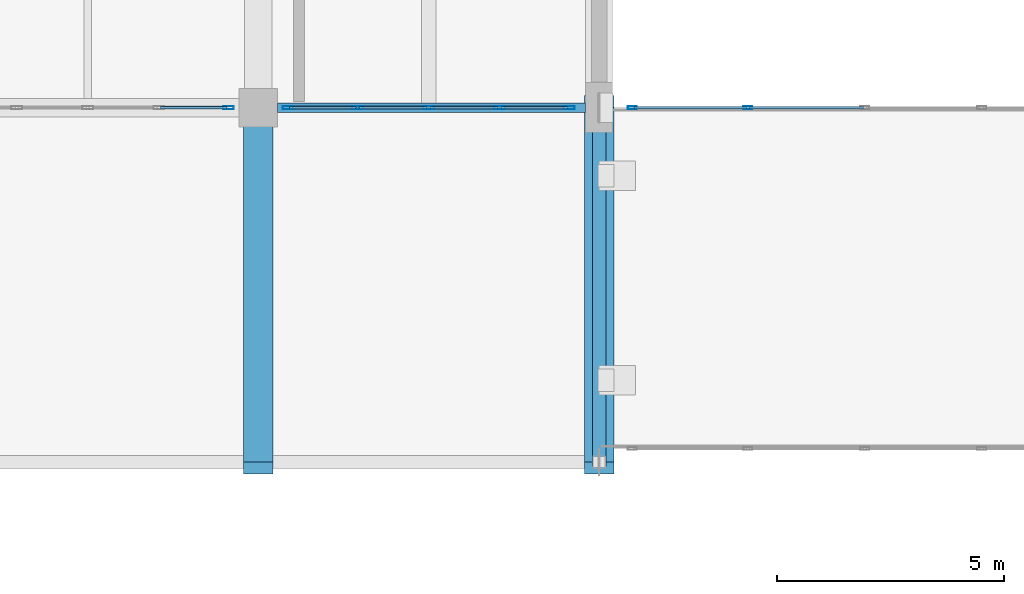
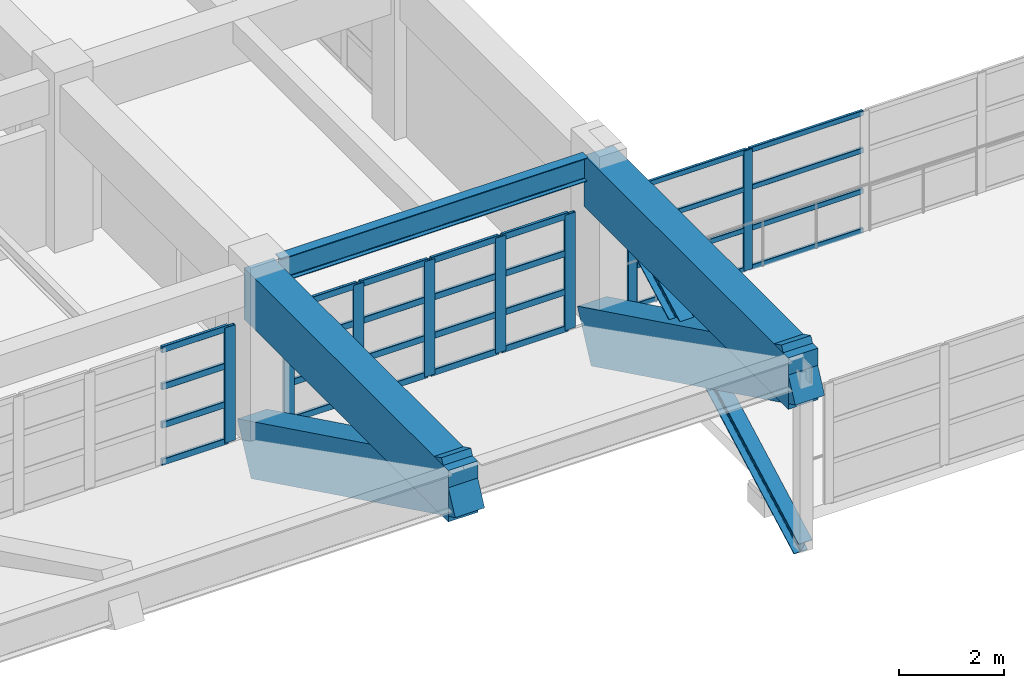
# One storey, part 36 of 132: 37 members, 5 beams, 3 elements without a shape of their own.
"""IFC4 building model written with IfcOpenShell, lengths in metres."""

from ifc_helpers import new_model, si_unit, direction, frame, origin, origin_2d, place, context, subcontext, project, spatial, rectangle, hollow_rectangle, i_section, extrude, material, material_profile, profile_set, type_object, element, aggregate, save


model = new_model("IFC4")

# Units and contexts
model_context = context("Model", 3, precision=1e-05, world=origin(), true_north=direction((0.0, 1.0)))
body_context = subcontext(model_context, "Body", "Model", "MODEL_VIEW")
ifc_project = project(units=[si_unit("LENGTHUNIT", "METRE"), si_unit("AREAUNIT", "SQUARE_METRE"), si_unit("VOLUMEUNIT", "CUBIC_METRE"), si_unit("PLANEANGLEUNIT", "RADIAN"), si_unit("MASSUNIT", "GRAM", prefix="KILO")], contexts=[model_context])

# Site, building, storey
site_placement = place(None, origin())
site = spatial("IfcSite", under=ifc_project, at=site_placement, CompositionType="ELEMENT")
building_placement = place(site_placement, origin())
building = spatial("IfcBuilding", under=site, at=building_placement, Name="Qasida Concert Hall", CompositionType="ELEMENT")
storey_placement = place(building_placement, frame((0.0, 0.0, 4.800048828125)))
storey = spatial("IfcBuildingStorey", under=building, at=storey_placement, Name="L01", CompositionType="ELEMENT", Elevation=4.800048828125)

# Beams
ifc_material_1 = material(Name="Concrete C50/60", Category="concrete")
ifc_material_profile_1 = material_profile(ifc_material_1, rectangle(XDim=0.64990234375, YDim=1.199951171875, at=origin_2d()), Name="RC 650x1200")
ifc_profile_set_1 = profile_set([ifc_material_profile_1], Name="Concrete C50/60")
beam_type_1 = type_object("IfcBeamType", Name="BM-CG-1200", PredefinedType="USERDEFINED", material=ifc_profile_set_1)
for number, where, z_axis, x_axis, name in (
    (1, (97.5, 22.5, -0.300048828125), (0.0, -0.898079250291, 0.439833673332), (1.0, 0.0, 0.0), "Upward-raked entrance soffit girder CGRK-975"),
    (2, (105.0, 22.5, -0.300048828125), (0.0, -0.898079250291, 0.439833673332), (1.0, 0.0, 0.0), "Upward-raked entrance soffit girder CGRK-1050"),
):
    element("IfcBeam", number, at=place(storey_placement, frame(where, z_axis=z_axis, x_axis=x_axis)), inside=storey, type_object=beam_type_1, Name=name, ObjectType="GIRDER", PredefinedType="USERDEFINED", context=body_context, shape_type="SweptSolid", body=[
        extrude(rectangle(XDim=0.64990234375, YDim=1.199951171875, at=origin_2d()), origin(), (0.0, 0.0, 1.0), 8.685302734375),
    ])
for number, where, z_axis, x_axis, name in (
    (3, (97.5, 22.5, 3.320068359375), (0.0, -1.0, 0.0), (1.0, 0.0, 0.0), "Cantilever girder CG-003"),
    (4, (105.0, 22.5, 3.320068359375), (0.0, -1.0, 0.0), (1.0, 0.0, 0.0), "Cantilever girder CG-004"),
):
    element("IfcBeam", number, at=place(storey_placement, frame(where, z_axis=z_axis, x_axis=x_axis)), inside=storey, type_object=beam_type_1, Name=name, ObjectType="GIRDER", PredefinedType="USERDEFINED", context=body_context, shape_type="SweptSolid", body=[
        extrude(rectangle(XDim=0.64990234375, YDim=1.199951171875, at=origin_2d()), origin(), (0.0, 0.0, 1.0), 7.800048828125),
    ])
ifc_material_2 = material(Name="Steel S355J2", Category="steel")
ifc_material_profile_2 = material_profile(ifc_material_2, i_section(OverallWidth=0.2099609375, OverallDepth=0.550048828125, WebThickness=0.010986328125, FlangeThickness=0.01708984375, FilletRadius=0.02392578125, at=origin_2d()), Name="IPE 550")
ifc_profile_set_2 = profile_set([ifc_material_profile_2], Name="Steel S355J2")
beam_type_2 = type_object("IfcBeamType", Name="BM-SP2", PredefinedType="SPANDREL", material=ifc_profile_set_2)
beam_placement = place(storey_placement, frame((97.925048828125, 22.5, 3.64501953125), z_axis=(1.0, 0.0, 0.0), x_axis=(0.0, 1.0, 0.0)))
element("IfcBeam", 5, at=beam_placement, inside=storey, type_object=beam_type_2, Name="Primary girder 0766", PredefinedType="SPANDREL", context=body_context, shape_type="SweptSolid", body=[
    extrude(i_section(OverallWidth=0.2099609375, OverallDepth=0.550048828125, WebThickness=0.010986328125, FlangeThickness=0.01708984375, FilletRadius=0.02392578125, at=origin_2d()), origin(), (0.0, 0.0, 1.0), 6.77490234375),
])

# Member
ifc_material_profile_3 = material_profile(ifc_material_2, i_section(OverallWidth=0.300048828125, OverallDepth=0.39990234375, WebThickness=0.013427734375, FlangeThickness=0.02392578125, FilletRadius=0.027099609375, at=origin_2d()), Name="HEB 400")
ifc_profile_set_3 = profile_set([ifc_material_profile_3], Name="Steel S355J2")
member_type_1 = type_object("IfcMemberType", Name="MB-CH1", PredefinedType="CHORD", material=ifc_profile_set_3)
member_1_placement = place(storey_placement, frame((105.0, 22.5, 3.599853515625), z_axis=(0.0, -0.880474639554, -0.474093249374), x_axis=(1.0, 0.0, 0.0)))
element("IfcMember", 6, at=member_1_placement, inside=storey, type_object=member_type_1, Name="Wall truss diagonal WT-E-018", PredefinedType="CHORD", context=body_context, shape_type="SweptSolid", body=[
    extrude(i_section(OverallWidth=0.300048828125, OverallDepth=0.39990234375, WebThickness=0.013427734375, FlangeThickness=0.02392578125, FilletRadius=0.027099609375, at=origin_2d()), origin(), (0.0, 0.0, 1.0), 8.85888671875),
])

# Curtain wall, member
ifc_material_3 = material(Name="Architectural bronze-anodized aluminium and low-E glass", Category="aluminium")
curtain_wall_type_1 = type_object("IfcCurtainWallType", Name="CW-02", PredefinedType="NOTDEFINED", material=ifc_material_3)
curtain_wall_1_placement = place(storey_placement, origin())
curtain_wall_1 = element("IfcCurtainWall", 7, at=curtain_wall_1_placement, inside=storey, type_object=curtain_wall_type_1, Name="L01 curtain wall CW-02 0006", PredefinedType="NOTDEFINED")
ifc_material_4 = material(Name="Architectural bronze-anodized aluminium EN AW-6063", Category="aluminium")
ifc_material_profile_4 = material_profile(ifc_material_4, hollow_rectangle(XDim=0.070068359375, YDim=0.239990234375, WallThickness=0.0048828125, InnerFilletRadius=0.0048828125, OuterFilletRadius=0.010009765625, at=origin_2d()), Name="CWM 240x70x5")
ifc_profile_set_4 = profile_set([ifc_material_profile_4], Name="Architectural bronze-anodized aluminium EN AW-6063")
member_type_2 = type_object("IfcMemberType", Name="MB-CWM-1", PredefinedType="MULLION", material=ifc_profile_set_4)
member_2_placement = place(storey_placement, frame((96.844970703125, 22.5, 0.0), z_axis=(0.0, 0.0, 1.0), x_axis=(0.0, 1.0, 0.0)))
member_2 = element("IfcMember", 8, at=member_2_placement, type_object=member_type_2, Name="CW-02 mullion 5", PredefinedType="MULLION", context=body_context, shape_type="SweptSolid", body=[
    extrude(hollow_rectangle(XDim=0.070068359375, YDim=0.239990234375, WallThickness=0.0048828125, InnerFilletRadius=0.0048828125, OuterFilletRadius=0.010009765625, at=origin_2d()), origin(), (0.0, 0.0, 1.0), 2.68994140625),
])

# Curtain wall, members
curtain_wall_2_placement = place(storey_placement, origin())
curtain_wall_2 = element("IfcCurtainWall", 9, at=curtain_wall_2_placement, inside=storey, type_object=curtain_wall_type_1, Name="L01 curtain wall CW-02 0007", PredefinedType="NOTDEFINED")
member_3_placement = place(storey_placement, frame((98.155029296875, 22.5, 0.0), z_axis=(0.0, 0.0, 1.0), x_axis=(0.0, 1.0, 0.0)))
member_3 = element("IfcMember", 10, at=member_3_placement, type_object=member_type_2, Name="CW-02 mullion 1", PredefinedType="MULLION", context=body_context, shape_type="SweptSolid", body=[
    extrude(hollow_rectangle(XDim=0.070068359375, YDim=0.239990234375, WallThickness=0.0048828125, InnerFilletRadius=0.0048828125, OuterFilletRadius=0.010009765625, at=origin_2d()), origin(), (0.0, 0.0, 1.0), 2.68994140625),
])
member_4_placement = place(storey_placement, frame((99.68505859375, 22.5, 0.0), z_axis=(0.0, 0.0, 1.0), x_axis=(0.0, 1.0, 0.0)))
member_4 = element("IfcMember", 11, at=member_4_placement, type_object=member_type_2, Name="CW-02 mullion 2", PredefinedType="MULLION", context=body_context, shape_type="SweptSolid", body=[
    extrude(hollow_rectangle(XDim=0.070068359375, YDim=0.239990234375, WallThickness=0.0048828125, InnerFilletRadius=0.0048828125, OuterFilletRadius=0.010009765625, at=origin_2d()), origin(), (0.0, 0.0, 1.0), 2.68994140625),
])
member_5_placement = place(storey_placement, frame((101.25, 22.5, 0.0), z_axis=(0.0, 0.0, 1.0), x_axis=(0.0, 1.0, 0.0)))
member_5 = element("IfcMember", 12, at=member_5_placement, type_object=member_type_2, Name="CW-02 mullion 3", PredefinedType="MULLION", context=body_context, shape_type="SweptSolid", body=[
    extrude(hollow_rectangle(XDim=0.070068359375, YDim=0.239990234375, WallThickness=0.0048828125, InnerFilletRadius=0.0048828125, OuterFilletRadius=0.010009765625, at=origin_2d()), origin(), (0.0, 0.0, 1.0), 2.68994140625),
])
member_6_placement = place(storey_placement, frame((102.81494140625, 22.5, 0.0), z_axis=(0.0, 0.0, 1.0), x_axis=(0.0, 1.0, 0.0)))
member_6 = element("IfcMember", 13, at=member_6_placement, type_object=member_type_2, Name="CW-02 mullion 4", PredefinedType="MULLION", context=body_context, shape_type="SweptSolid", body=[
    extrude(hollow_rectangle(XDim=0.070068359375, YDim=0.239990234375, WallThickness=0.0048828125, InnerFilletRadius=0.0048828125, OuterFilletRadius=0.010009765625, at=origin_2d()), origin(), (0.0, 0.0, 1.0), 2.68994140625),
])
member_7_placement = place(storey_placement, frame((104.344970703125, 22.5, 0.0), z_axis=(0.0, 0.0, 1.0), x_axis=(0.0, 1.0, 0.0)))
member_7 = element("IfcMember", 14, at=member_7_placement, type_object=member_type_2, Name="CW-02 mullion 5", PredefinedType="MULLION", context=body_context, shape_type="SweptSolid", body=[
    extrude(hollow_rectangle(XDim=0.070068359375, YDim=0.239990234375, WallThickness=0.0048828125, InnerFilletRadius=0.0048828125, OuterFilletRadius=0.010009765625, at=origin_2d()), origin(), (0.0, 0.0, 1.0), 2.68994140625),
])

curtain_wall_type_2 = type_object("IfcCurtainWallType", Name="CW-07", PredefinedType="NOTDEFINED", material=ifc_material_3)
curtain_wall_3_placement = place(storey_placement, origin())
curtain_wall_3 = element("IfcCurtainWall", 15, at=curtain_wall_3_placement, inside=storey, type_object=curtain_wall_type_2, Name="L01 link bridge glazing 0235", PredefinedType="NOTDEFINED")
ifc_material_profile_5 = material_profile(ifc_material_4, hollow_rectangle(XDim=0.06494140625, YDim=0.199951171875, WallThickness=0.0048828125, InnerFilletRadius=0.0048828125, OuterFilletRadius=0.010009765625, at=origin_2d()), Name="CWM 200x65x5")
ifc_profile_set_5 = profile_set([ifc_material_profile_5], Name="Architectural bronze-anodized aluminium EN AW-6063")
member_type_3 = type_object("IfcMemberType", Name="MB-CWM-2", PredefinedType="MULLION", material=ifc_profile_set_5)
member_8_placement = place(storey_placement, frame((105.732421875, 22.5, 0.0), z_axis=(0.0, 0.0, 1.0), x_axis=(0.0, 1.0, 0.0)))
member_8 = element("IfcMember", 16, at=member_8_placement, type_object=member_type_3, Name="CW-07 mullion 1", PredefinedType="MULLION", context=body_context, shape_type="SweptSolid", body=[
    extrude(hollow_rectangle(XDim=0.06494140625, YDim=0.199951171875, WallThickness=0.0048828125, InnerFilletRadius=0.0048828125, OuterFilletRadius=0.010009765625, at=origin_2d()), origin(), (0.0, 0.0, 1.0), 2.800048828125),
])
member_9_placement = place(storey_placement, frame((108.27490234375, 22.5, 0.0), z_axis=(0.0, 0.0, 1.0), x_axis=(0.0, 1.0, 0.0)))
member_9 = element("IfcMember", 17, at=member_9_placement, type_object=member_type_3, Name="CW-07 mullion 2", PredefinedType="MULLION", context=body_context, shape_type="SweptSolid", body=[
    extrude(hollow_rectangle(XDim=0.06494140625, YDim=0.199951171875, WallThickness=0.0048828125, InnerFilletRadius=0.0048828125, OuterFilletRadius=0.010009765625, at=origin_2d()), origin(), (0.0, 0.0, 1.0), 2.800048828125),
])

# Member
ifc_material_profile_6 = material_profile(ifc_material_4, hollow_rectangle(XDim=0.06494140625, YDim=0.14990234375, WallThickness=0.00390625, InnerFilletRadius=0.00390625, OuterFilletRadius=0.008056640625, at=origin_2d()), Name="CWT 150x65x4")
ifc_profile_set_6 = profile_set([ifc_material_profile_6], Name="Architectural bronze-anodized aluminium EN AW-6063")
member_type_4 = type_object("IfcMemberType", Name="MB-CWT-1", PredefinedType="USERDEFINED", material=ifc_profile_set_6)
member_10_placement = place(storey_placement, frame((95.35009765625, 22.5, 0.032470703125), z_axis=(1.0, 0.0, 0.0), x_axis=(0.0, 1.0, 0.0)))
member_10 = element("IfcMember", 18, at=member_10_placement, type_object=member_type_4, Name="CW-02 transom 4.1", ObjectType="TRANSOM", PredefinedType="USERDEFINED", context=body_context, shape_type="SweptSolid", body=[
    extrude(hollow_rectangle(XDim=0.06494140625, YDim=0.14990234375, WallThickness=0.00390625, InnerFilletRadius=0.00390625, OuterFilletRadius=0.008056640625, at=origin_2d()), origin(), (0.0, 0.0, 1.0), 1.4599609375),
])

member_11_placement = place(storey_placement, frame((95.35009765625, 22.5, 0.896728515625), z_axis=(1.0, 0.0, 0.0), x_axis=(0.0, 1.0, 0.0)))
member_11 = element("IfcMember", 19, at=member_11_placement, type_object=member_type_4, Name="CW-02 transom 4.2", ObjectType="TRANSOM", PredefinedType="USERDEFINED", context=body_context, shape_type="SweptSolid", body=[
    extrude(hollow_rectangle(XDim=0.06494140625, YDim=0.14990234375, WallThickness=0.00390625, InnerFilletRadius=0.00390625, OuterFilletRadius=0.008056640625, at=origin_2d()), origin(), (0.0, 0.0, 1.0), 1.4599609375),
])

member_12_placement = place(storey_placement, frame((95.35009765625, 22.5, 1.793212890625), z_axis=(1.0, 0.0, 0.0), x_axis=(0.0, 1.0, 0.0)))
member_12 = element("IfcMember", 20, at=member_12_placement, type_object=member_type_4, Name="CW-02 transom 4.3", ObjectType="TRANSOM", PredefinedType="USERDEFINED", context=body_context, shape_type="SweptSolid", body=[
    extrude(hollow_rectangle(XDim=0.06494140625, YDim=0.14990234375, WallThickness=0.00390625, InnerFilletRadius=0.00390625, OuterFilletRadius=0.008056640625, at=origin_2d()), origin(), (0.0, 0.0, 1.0), 1.4599609375),
])

member_13_placement = place(storey_placement, frame((95.35009765625, 22.5, 2.657470703125), z_axis=(1.0, 0.0, 0.0), x_axis=(0.0, 1.0, 0.0)))
member_13 = element("IfcMember", 21, at=member_13_placement, type_object=member_type_4, Name="CW-02 transom 4.4", ObjectType="TRANSOM", PredefinedType="USERDEFINED", context=body_context, shape_type="SweptSolid", body=[
    extrude(hollow_rectangle(XDim=0.06494140625, YDim=0.14990234375, WallThickness=0.00390625, InnerFilletRadius=0.00390625, OuterFilletRadius=0.008056640625, at=origin_2d()), origin(), (0.0, 0.0, 1.0), 1.4599609375),
])

aggregate(curtain_wall_1, [member_2, member_10, member_11, member_12, member_13])

member_14_placement = place(storey_placement, frame((98.18994140625, 22.5, 0.032470703125), z_axis=(1.0, 0.0, 0.0), x_axis=(0.0, 1.0, 0.0)))
member_14 = element("IfcMember", 22, at=member_14_placement, type_object=member_type_4, Name="CW-02 transom 1.1", ObjectType="TRANSOM", PredefinedType="USERDEFINED", context=body_context, shape_type="SweptSolid", body=[
    extrude(hollow_rectangle(XDim=0.06494140625, YDim=0.14990234375, WallThickness=0.00390625, InnerFilletRadius=0.00390625, OuterFilletRadius=0.008056640625, at=origin_2d()), origin(), (0.0, 0.0, 1.0), 1.4599609375),
])

member_15_placement = place(storey_placement, frame((98.18994140625, 22.5, 0.896728515625), z_axis=(1.0, 0.0, 0.0), x_axis=(0.0, 1.0, 0.0)))
member_15 = element("IfcMember", 23, at=member_15_placement, type_object=member_type_4, Name="CW-02 transom 1.2", ObjectType="TRANSOM", PredefinedType="USERDEFINED", context=body_context, shape_type="SweptSolid", body=[
    extrude(hollow_rectangle(XDim=0.06494140625, YDim=0.14990234375, WallThickness=0.00390625, InnerFilletRadius=0.00390625, OuterFilletRadius=0.008056640625, at=origin_2d()), origin(), (0.0, 0.0, 1.0), 1.4599609375),
])

member_16_placement = place(storey_placement, frame((98.18994140625, 22.5, 1.793212890625), z_axis=(1.0, 0.0, 0.0), x_axis=(0.0, 1.0, 0.0)))
member_16 = element("IfcMember", 24, at=member_16_placement, type_object=member_type_4, Name="CW-02 transom 1.3", ObjectType="TRANSOM", PredefinedType="USERDEFINED", context=body_context, shape_type="SweptSolid", body=[
    extrude(hollow_rectangle(XDim=0.06494140625, YDim=0.14990234375, WallThickness=0.00390625, InnerFilletRadius=0.00390625, OuterFilletRadius=0.008056640625, at=origin_2d()), origin(), (0.0, 0.0, 1.0), 1.4599609375),
])

member_17_placement = place(storey_placement, frame((98.18994140625, 22.5, 2.657470703125), z_axis=(1.0, 0.0, 0.0), x_axis=(0.0, 1.0, 0.0)))
member_17 = element("IfcMember", 25, at=member_17_placement, type_object=member_type_4, Name="CW-02 transom 1.4", ObjectType="TRANSOM", PredefinedType="USERDEFINED", context=body_context, shape_type="SweptSolid", body=[
    extrude(hollow_rectangle(XDim=0.06494140625, YDim=0.14990234375, WallThickness=0.00390625, InnerFilletRadius=0.00390625, OuterFilletRadius=0.008056640625, at=origin_2d()), origin(), (0.0, 0.0, 1.0), 1.4599609375),
])

member_18_placement = place(storey_placement, frame((99.719970703125, 22.5, 0.032470703125), z_axis=(1.0, 0.0, 0.0), x_axis=(0.0, 1.0, 0.0)))
member_18 = element("IfcMember", 26, at=member_18_placement, type_object=member_type_4, Name="CW-02 transom 2.1", ObjectType="TRANSOM", PredefinedType="USERDEFINED", context=body_context, shape_type="SweptSolid", body=[
    extrude(hollow_rectangle(XDim=0.06494140625, YDim=0.14990234375, WallThickness=0.00390625, InnerFilletRadius=0.00390625, OuterFilletRadius=0.008056640625, at=origin_2d()), origin(), (0.0, 0.0, 1.0), 1.4951171875),
])

member_19_placement = place(storey_placement, frame((99.719970703125, 22.5, 0.896728515625), z_axis=(1.0, 0.0, 0.0), x_axis=(0.0, 1.0, 0.0)))
member_19 = element("IfcMember", 27, at=member_19_placement, type_object=member_type_4, Name="CW-02 transom 2.2", ObjectType="TRANSOM", PredefinedType="USERDEFINED", context=body_context, shape_type="SweptSolid", body=[
    extrude(hollow_rectangle(XDim=0.06494140625, YDim=0.14990234375, WallThickness=0.00390625, InnerFilletRadius=0.00390625, OuterFilletRadius=0.008056640625, at=origin_2d()), origin(), (0.0, 0.0, 1.0), 1.4951171875),
])

member_20_placement = place(storey_placement, frame((99.719970703125, 22.5, 1.793212890625), z_axis=(1.0, 0.0, 0.0), x_axis=(0.0, 1.0, 0.0)))
member_20 = element("IfcMember", 28, at=member_20_placement, type_object=member_type_4, Name="CW-02 transom 2.3", ObjectType="TRANSOM", PredefinedType="USERDEFINED", context=body_context, shape_type="SweptSolid", body=[
    extrude(hollow_rectangle(XDim=0.06494140625, YDim=0.14990234375, WallThickness=0.00390625, InnerFilletRadius=0.00390625, OuterFilletRadius=0.008056640625, at=origin_2d()), origin(), (0.0, 0.0, 1.0), 1.4951171875),
])

member_21_placement = place(storey_placement, frame((99.719970703125, 22.5, 2.657470703125), z_axis=(1.0, 0.0, 0.0), x_axis=(0.0, 1.0, 0.0)))
member_21 = element("IfcMember", 29, at=member_21_placement, type_object=member_type_4, Name="CW-02 transom 2.4", ObjectType="TRANSOM", PredefinedType="USERDEFINED", context=body_context, shape_type="SweptSolid", body=[
    extrude(hollow_rectangle(XDim=0.06494140625, YDim=0.14990234375, WallThickness=0.00390625, InnerFilletRadius=0.00390625, OuterFilletRadius=0.008056640625, at=origin_2d()), origin(), (0.0, 0.0, 1.0), 1.4951171875),
])

member_22_placement = place(storey_placement, frame((101.284912109375, 22.5, 0.032470703125), z_axis=(1.0, 0.0, 0.0), x_axis=(0.0, 1.0, 0.0)))
member_22 = element("IfcMember", 30, at=member_22_placement, type_object=member_type_4, Name="CW-02 transom 3.1", ObjectType="TRANSOM", PredefinedType="USERDEFINED", context=body_context, shape_type="SweptSolid", body=[
    extrude(hollow_rectangle(XDim=0.06494140625, YDim=0.14990234375, WallThickness=0.00390625, InnerFilletRadius=0.00390625, OuterFilletRadius=0.008056640625, at=origin_2d()), origin(), (0.0, 0.0, 1.0), 1.4951171875),
])

member_23_placement = place(storey_placement, frame((101.284912109375, 22.5, 0.896728515625), z_axis=(1.0, 0.0, 0.0), x_axis=(0.0, 1.0, 0.0)))
member_23 = element("IfcMember", 31, at=member_23_placement, type_object=member_type_4, Name="CW-02 transom 3.2", ObjectType="TRANSOM", PredefinedType="USERDEFINED", context=body_context, shape_type="SweptSolid", body=[
    extrude(hollow_rectangle(XDim=0.06494140625, YDim=0.14990234375, WallThickness=0.00390625, InnerFilletRadius=0.00390625, OuterFilletRadius=0.008056640625, at=origin_2d()), origin(), (0.0, 0.0, 1.0), 1.4951171875),
])

member_24_placement = place(storey_placement, frame((101.284912109375, 22.5, 1.793212890625), z_axis=(1.0, 0.0, 0.0), x_axis=(0.0, 1.0, 0.0)))
member_24 = element("IfcMember", 32, at=member_24_placement, type_object=member_type_4, Name="CW-02 transom 3.3", ObjectType="TRANSOM", PredefinedType="USERDEFINED", context=body_context, shape_type="SweptSolid", body=[
    extrude(hollow_rectangle(XDim=0.06494140625, YDim=0.14990234375, WallThickness=0.00390625, InnerFilletRadius=0.00390625, OuterFilletRadius=0.008056640625, at=origin_2d()), origin(), (0.0, 0.0, 1.0), 1.4951171875),
])

member_25_placement = place(storey_placement, frame((101.284912109375, 22.5, 2.657470703125), z_axis=(1.0, 0.0, 0.0), x_axis=(0.0, 1.0, 0.0)))
member_25 = element("IfcMember", 33, at=member_25_placement, type_object=member_type_4, Name="CW-02 transom 3.4", ObjectType="TRANSOM", PredefinedType="USERDEFINED", context=body_context, shape_type="SweptSolid", body=[
    extrude(hollow_rectangle(XDim=0.06494140625, YDim=0.14990234375, WallThickness=0.00390625, InnerFilletRadius=0.00390625, OuterFilletRadius=0.008056640625, at=origin_2d()), origin(), (0.0, 0.0, 1.0), 1.4951171875),
])

member_26_placement = place(storey_placement, frame((102.85009765625, 22.5, 0.032470703125), z_axis=(1.0, 0.0, 0.0), x_axis=(0.0, 1.0, 0.0)))
member_26 = element("IfcMember", 34, at=member_26_placement, type_object=member_type_4, Name="CW-02 transom 4.1", ObjectType="TRANSOM", PredefinedType="USERDEFINED", context=body_context, shape_type="SweptSolid", body=[
    extrude(hollow_rectangle(XDim=0.06494140625, YDim=0.14990234375, WallThickness=0.00390625, InnerFilletRadius=0.00390625, OuterFilletRadius=0.008056640625, at=origin_2d()), origin(), (0.0, 0.0, 1.0), 1.4599609375),
])

member_27_placement = place(storey_placement, frame((102.85009765625, 22.5, 0.896728515625), z_axis=(1.0, 0.0, 0.0), x_axis=(0.0, 1.0, 0.0)))
member_27 = element("IfcMember", 35, at=member_27_placement, type_object=member_type_4, Name="CW-02 transom 4.2", ObjectType="TRANSOM", PredefinedType="USERDEFINED", context=body_context, shape_type="SweptSolid", body=[
    extrude(hollow_rectangle(XDim=0.06494140625, YDim=0.14990234375, WallThickness=0.00390625, InnerFilletRadius=0.00390625, OuterFilletRadius=0.008056640625, at=origin_2d()), origin(), (0.0, 0.0, 1.0), 1.4599609375),
])

member_28_placement = place(storey_placement, frame((102.85009765625, 22.5, 1.793212890625), z_axis=(1.0, 0.0, 0.0), x_axis=(0.0, 1.0, 0.0)))
member_28 = element("IfcMember", 36, at=member_28_placement, type_object=member_type_4, Name="CW-02 transom 4.3", ObjectType="TRANSOM", PredefinedType="USERDEFINED", context=body_context, shape_type="SweptSolid", body=[
    extrude(hollow_rectangle(XDim=0.06494140625, YDim=0.14990234375, WallThickness=0.00390625, InnerFilletRadius=0.00390625, OuterFilletRadius=0.008056640625, at=origin_2d()), origin(), (0.0, 0.0, 1.0), 1.4599609375),
])

member_29_placement = place(storey_placement, frame((102.85009765625, 22.5, 2.657470703125), z_axis=(1.0, 0.0, 0.0), x_axis=(0.0, 1.0, 0.0)))
member_29 = element("IfcMember", 37, at=member_29_placement, type_object=member_type_4, Name="CW-02 transom 4.4", ObjectType="TRANSOM", PredefinedType="USERDEFINED", context=body_context, shape_type="SweptSolid", body=[
    extrude(hollow_rectangle(XDim=0.06494140625, YDim=0.14990234375, WallThickness=0.00390625, InnerFilletRadius=0.00390625, OuterFilletRadius=0.008056640625, at=origin_2d()), origin(), (0.0, 0.0, 1.0), 1.4599609375),
])

aggregate(curtain_wall_2, [member_3, member_4, member_5, member_6, member_7, member_14, member_15, member_16, member_17, member_18, member_19, member_20, member_21, member_22, member_23, member_24, member_25, member_26, member_27, member_28, member_29])

ifc_material_profile_7 = material_profile(ifc_material_4, hollow_rectangle(XDim=0.06005859375, YDim=0.1201171875, WallThickness=0.00390625, InnerFilletRadius=0.00390625, OuterFilletRadius=0.008056640625, at=origin_2d()), Name="CWT 120x60x4")
ifc_profile_set_7 = profile_set([ifc_material_profile_7], Name="Architectural bronze-anodized aluminium EN AW-6063")
member_type_5 = type_object("IfcMemberType", Name="MB-CWT-2", PredefinedType="USERDEFINED", material=ifc_profile_set_7)
member_30_placement = place(storey_placement, frame((105.764892578125, 22.5, 0.030029296875), z_axis=(1.0, 0.0, 0.0), x_axis=(0.0, 1.0, 0.0)))
member_30 = element("IfcMember", 38, at=member_30_placement, type_object=member_type_5, Name="CW-07 transom 1.1", ObjectType="TRANSOM", PredefinedType="USERDEFINED", context=body_context, shape_type="SweptSolid", body=[
    extrude(hollow_rectangle(XDim=0.06005859375, YDim=0.1201171875, WallThickness=0.00390625, InnerFilletRadius=0.00390625, OuterFilletRadius=0.008056640625, at=origin_2d()), origin(), (0.0, 0.0, 1.0), 2.4775390625),
])

member_31_placement = place(storey_placement, frame((105.764892578125, 22.5, 0.949951171875), z_axis=(1.0, 0.0, 0.0), x_axis=(0.0, 1.0, 0.0)))
member_31 = element("IfcMember", 39, at=member_31_placement, type_object=member_type_5, Name="CW-07 transom 1.2", ObjectType="TRANSOM", PredefinedType="USERDEFINED", context=body_context, shape_type="SweptSolid", body=[
    extrude(hollow_rectangle(XDim=0.06005859375, YDim=0.1201171875, WallThickness=0.00390625, InnerFilletRadius=0.00390625, OuterFilletRadius=0.008056640625, at=origin_2d()), origin(), (0.0, 0.0, 1.0), 2.4775390625),
])

member_32_placement = place(storey_placement, frame((105.764892578125, 22.5, 1.89990234375), z_axis=(1.0, 0.0, 0.0), x_axis=(0.0, 1.0, 0.0)))
member_32 = element("IfcMember", 40, at=member_32_placement, type_object=member_type_5, Name="CW-07 transom 1.3", ObjectType="TRANSOM", PredefinedType="USERDEFINED", context=body_context, shape_type="SweptSolid", body=[
    extrude(hollow_rectangle(XDim=0.06005859375, YDim=0.1201171875, WallThickness=0.00390625, InnerFilletRadius=0.00390625, OuterFilletRadius=0.008056640625, at=origin_2d()), origin(), (0.0, 0.0, 1.0), 2.4775390625),
])

member_33_placement = place(storey_placement, frame((105.764892578125, 22.5, 2.77001953125), z_axis=(1.0, 0.0, 0.0), x_axis=(0.0, 1.0, 0.0)))
member_33 = element("IfcMember", 41, at=member_33_placement, type_object=member_type_5, Name="CW-07 transom 1.4", ObjectType="TRANSOM", PredefinedType="USERDEFINED", context=body_context, shape_type="SweptSolid", body=[
    extrude(hollow_rectangle(XDim=0.06005859375, YDim=0.1201171875, WallThickness=0.00390625, InnerFilletRadius=0.00390625, OuterFilletRadius=0.008056640625, at=origin_2d()), origin(), (0.0, 0.0, 1.0), 2.4775390625),
])

member_34_placement = place(storey_placement, frame((108.3076171875, 22.5, 0.030029296875), z_axis=(1.0, 0.0, 0.0), x_axis=(0.0, 1.0, 0.0)))
member_34 = element("IfcMember", 42, at=member_34_placement, type_object=member_type_5, Name="CW-07 transom 2.1", ObjectType="TRANSOM", PredefinedType="USERDEFINED", context=body_context, shape_type="SweptSolid", body=[
    extrude(hollow_rectangle(XDim=0.06005859375, YDim=0.1201171875, WallThickness=0.00390625, InnerFilletRadius=0.00390625, OuterFilletRadius=0.008056640625, at=origin_2d()), origin(), (0.0, 0.0, 1.0), 2.509765625),
])

member_35_placement = place(storey_placement, frame((108.3076171875, 22.5, 0.949951171875), z_axis=(1.0, 0.0, 0.0), x_axis=(0.0, 1.0, 0.0)))
member_35 = element("IfcMember", 43, at=member_35_placement, type_object=member_type_5, Name="CW-07 transom 2.2", ObjectType="TRANSOM", PredefinedType="USERDEFINED", context=body_context, shape_type="SweptSolid", body=[
    extrude(hollow_rectangle(XDim=0.06005859375, YDim=0.1201171875, WallThickness=0.00390625, InnerFilletRadius=0.00390625, OuterFilletRadius=0.008056640625, at=origin_2d()), origin(), (0.0, 0.0, 1.0), 2.509765625),
])

member_36_placement = place(storey_placement, frame((108.3076171875, 22.5, 1.89990234375), z_axis=(1.0, 0.0, 0.0), x_axis=(0.0, 1.0, 0.0)))
member_36 = element("IfcMember", 44, at=member_36_placement, type_object=member_type_5, Name="CW-07 transom 2.3", ObjectType="TRANSOM", PredefinedType="USERDEFINED", context=body_context, shape_type="SweptSolid", body=[
    extrude(hollow_rectangle(XDim=0.06005859375, YDim=0.1201171875, WallThickness=0.00390625, InnerFilletRadius=0.00390625, OuterFilletRadius=0.008056640625, at=origin_2d()), origin(), (0.0, 0.0, 1.0), 2.509765625),
])

member_37_placement = place(storey_placement, frame((108.3076171875, 22.5, 2.77001953125), z_axis=(1.0, 0.0, 0.0), x_axis=(0.0, 1.0, 0.0)))
member_37 = element("IfcMember", 45, at=member_37_placement, type_object=member_type_5, Name="CW-07 transom 2.4", ObjectType="TRANSOM", PredefinedType="USERDEFINED", context=body_context, shape_type="SweptSolid", body=[
    extrude(hollow_rectangle(XDim=0.06005859375, YDim=0.1201171875, WallThickness=0.00390625, InnerFilletRadius=0.00390625, OuterFilletRadius=0.008056640625, at=origin_2d()), origin(), (0.0, 0.0, 1.0), 2.509765625),
])

aggregate(curtain_wall_3, [member_8, member_9, member_30, member_31, member_32, member_33, member_34, member_35, member_36, member_37])

save(model, "model.ifc")
